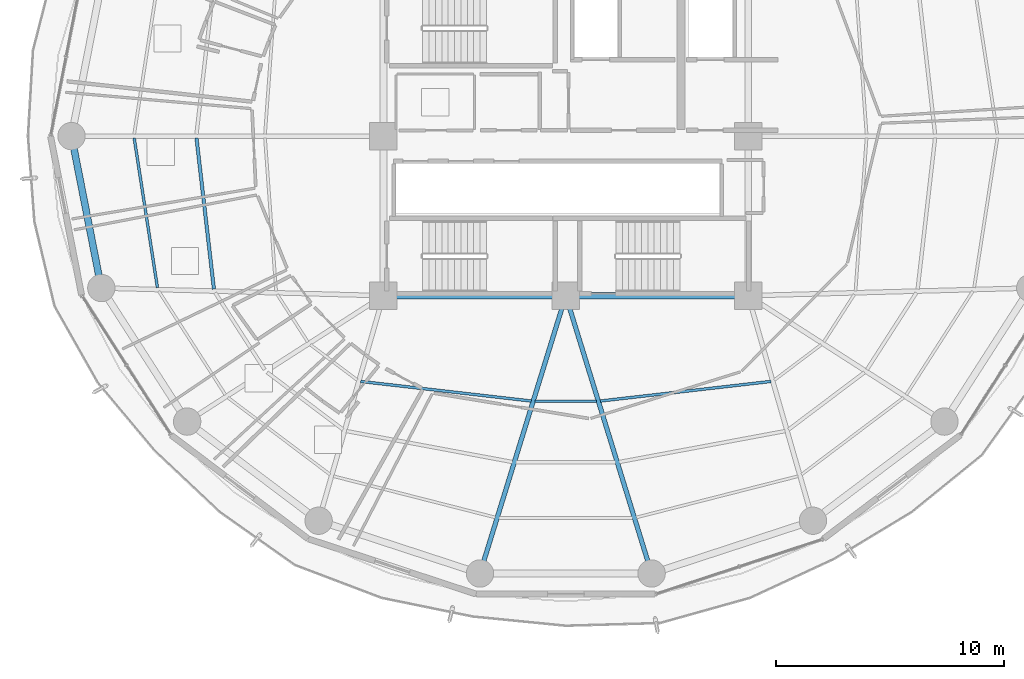
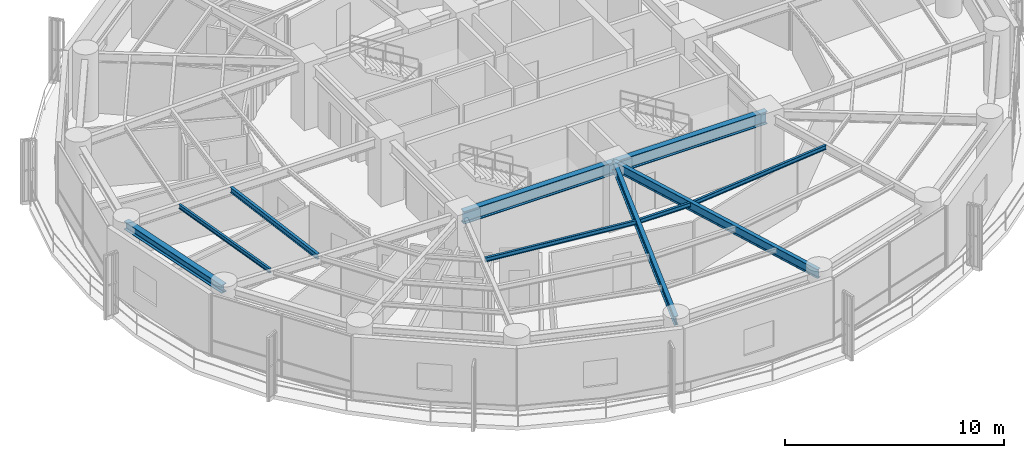
# One storey, part 5 of 27: 10 beams.
"""IFC4 building model written with IfcOpenShell, lengths in metres."""

from ifc_helpers import new_model, si_unit, direction, frame, origin, origin_2d, place, context, subcontext, project, spatial, i_section, extrude, material, material_profile, profile_set, type_object, element, save


model = new_model("IFC4")

# Units and contexts
model_context = context("Model", 3, precision=1e-05, world=origin(), true_north=direction((0.0, 1.0)))
body_context = subcontext(model_context, "Body", "Model", "MODEL_VIEW")
ifc_project = project(units=[si_unit("LENGTHUNIT", "METRE"), si_unit("AREAUNIT", "SQUARE_METRE"), si_unit("VOLUMEUNIT", "CUBIC_METRE"), si_unit("PLANEANGLEUNIT", "RADIAN"), si_unit("MASSUNIT", "GRAM", prefix="KILO")], contexts=[model_context])

# Site, building, storey
site_placement = place(None, origin())
site = spatial("IfcSite", under=ifc_project, at=site_placement, CompositionType="ELEMENT")
building_placement = place(site_placement, origin())
building = spatial("IfcBuilding", under=site, at=building_placement, Name="Kelanora Arch Commons", CompositionType="ELEMENT")
storey_placement = place(building_placement, frame((0.0, 0.0, 165.60009765625)))
storey = spatial("IfcBuildingStorey", under=building, at=storey_placement, Name="L42", CompositionType="ELEMENT", Elevation=165.60009765625)

# Beams
ifc_material = material(Name="Steel S355", Category="steel")
ifc_material_profile_1 = material_profile(ifc_material, i_section(OverallWidth=0.300048828125, OverallDepth=0.699951171875, WebThickness=0.01708984375, FlangeThickness=0.031982421875, FilletRadius=0.027099609375, at=origin_2d()), Name="HEB700")
ifc_profile_set_1 = profile_set([ifc_material_profile_1], Name="Steel S355")
beam_type_1 = type_object("IfcBeamType", Name="BM-CORE-HDR", PredefinedType="BEAM", material=ifc_profile_set_1)
for number, where, z_axis, x_axis, name in (
    (1, (66.0, 51.0, 3.139892578125), (1.0, 0.0, 0.0), (0.0, 1.0, 0.0), "Core Header Beam 01 L42"),
    (2, (74.0, 51.0, 3.139892578125), (1.0, 0.0, 0.0), (0.0, 1.0, 0.0), "Core Header Beam 02 L42"),
):
    element("IfcBeam", number, at=place(storey_placement, frame(where, z_axis=z_axis, x_axis=x_axis)), inside=storey, type_object=beam_type_1, Name=name, PredefinedType="BEAM", context=body_context, shape_type="SweptSolid", body=[
        extrude(i_section(OverallWidth=0.300048828125, OverallDepth=0.699951171875, WebThickness=0.01708984375, FlangeThickness=0.031982421875, FilletRadius=0.027099609375, at=origin_2d()), origin(), (0.0, 0.0, 1.0), 8.0),
    ])
ifc_material_profile_2 = material_profile(ifc_material, i_section(OverallWidth=0.14990234375, OverallDepth=0.300048828125, WebThickness=0.007080078125, FlangeThickness=0.0107421875, FilletRadius=0.014892578125, at=origin_2d()), Name="IPE300")
ifc_profile_set_2 = profile_set([ifc_material_profile_2], Name="Steel S355")
beam_type_2 = type_object("IfcBeamType", Name="BM-JST-01", PredefinedType="JOIST", material=ifc_profile_set_2)
beam_1_placement = place(storey_placement, frame((57.8017578125, 57.91552734375, 3.33984375), z_axis=(0.114667159005, -0.9934039675, 0.0), x_axis=(0.9934039675, 0.114667159005, 0.0)))
element("IfcBeam", 3, at=beam_1_placement, inside=storey, type_object=beam_type_2, Name="Secondary Chord Joist BJB-18 L42", PredefinedType="JOIST", context=body_context, shape_type="SweptSolid", body=[
    extrude(i_section(OverallWidth=0.14990234375, OverallDepth=0.300048828125, WebThickness=0.007080078125, FlangeThickness=0.0107421875, FilletRadius=0.014892578125, at=origin_2d()), origin(), (0.0, 0.0, 1.0), 6.672607421875),
])
ifc_material_profile_3 = material_profile(ifc_material, i_section(OverallWidth=0.1201171875, OverallDepth=0.239990234375, WebThickness=0.006103515625, FlangeThickness=0.009765625, FilletRadius=0.014892578125, at=origin_2d()), Name="IPE240")
ifc_profile_set_3 = profile_set([ifc_material_profile_3], Name="Steel S355")
beam_type_3 = type_object("IfcBeamType", Name="BM-JST-02", PredefinedType="JOIST", material=ifc_profile_set_3)
beam_2_placement = place(storey_placement, frame((55.069091796875, 57.916015625, 3.369873046875), z_axis=(0.153562625853, -0.988138917329, 0.0), x_axis=(0.988138917329, 0.153562625853, 0.0)))
element("IfcBeam", 4, at=beam_2_placement, inside=storey, type_object=beam_type_3, Name="Secondary Chord Joist BJC-18 L42", PredefinedType="JOIST", context=body_context, shape_type="SweptSolid", body=[
    extrude(i_section(OverallWidth=0.1201171875, OverallDepth=0.239990234375, WebThickness=0.006103515625, FlangeThickness=0.009765625, FilletRadius=0.014892578125, at=origin_2d()), origin(), (0.0, 0.0, 1.0), 6.640869140625),
])
beam_3_placement = place(storey_placement, frame((65.005126953125, 47.239501953125, 3.369873046875), z_axis=(0.993457414184, -0.114203179475, 0.0), x_axis=(0.114203179475, 0.993457414184, 0.0)))
element("IfcBeam", 5, at=beam_3_placement, inside=storey, type_object=beam_type_3, Name="Secondary Chord Joist BJA-24 L42", PredefinedType="JOIST", context=body_context, shape_type="SweptSolid", body=[
    extrude(i_section(OverallWidth=0.1201171875, OverallDepth=0.239990234375, WebThickness=0.006103515625, FlangeThickness=0.009765625, FilletRadius=0.014892578125, at=origin_2d()), origin(), (0.0, 0.0, 1.0), 7.529296875),
])
beam_4_placement = place(storey_placement, frame((72.654296875, 46.3701171875, 3.369873046875), z_axis=(1.0, 0.0, 0.0), x_axis=(0.0, 1.0, 0.0)))
element("IfcBeam", 6, at=beam_4_placement, inside=storey, type_object=beam_type_3, Name="Secondary Chord Joist BJA-26 L42", PredefinedType="JOIST", context=body_context, shape_type="SweptSolid", body=[
    extrude(i_section(OverallWidth=0.1201171875, OverallDepth=0.239990234375, WebThickness=0.006103515625, FlangeThickness=0.009765625, FilletRadius=0.014892578125, at=origin_2d()), origin(), (0.0, 0.0, 1.0), 2.69140625),
])
beam_5_placement = place(storey_placement, frame((75.514892578125, 46.379638671875, 3.369873046875), z_axis=(0.993457414184, 0.114203179475, 0.0), x_axis=(-0.114203179475, 0.993457414184, 0.0)))
element("IfcBeam", 7, at=beam_5_placement, inside=storey, type_object=beam_type_3, Name="Secondary Chord Joist BJA-28 L42", PredefinedType="JOIST", context=body_context, shape_type="SweptSolid", body=[
    extrude(i_section(OverallWidth=0.1201171875, OverallDepth=0.239990234375, WebThickness=0.006103515625, FlangeThickness=0.009765625, FilletRadius=0.014892578125, at=origin_2d()), origin(), (0.0, 0.0, 1.0), 7.529296875),
])
ifc_material_profile_4 = material_profile(ifc_material, i_section(OverallWidth=0.199951171875, OverallDepth=0.5, WebThickness=0.01025390625, FlangeThickness=0.01611328125, FilletRadius=0.02099609375, at=origin_2d()), Name="IPE500")
ifc_profile_set_4 = profile_set([ifc_material_profile_4], Name="Steel S355")
beam_type_4 = type_object("IfcBeamType", Name="BM-RAD-Z3", PredefinedType="BEAM", material=ifc_profile_set_4)
for number, where, z_axis, x_axis, name in (
    (8, (74.0, 51.0, 3.239990234375), (-0.295210315095, -0.955432294755, 0.0), (0.955432294755, -0.295210315095, 0.0), "Radial Floor Girder BR-26 L42"),
    (9, (74.0, 51.0, 3.239990234375), (0.295210315095, -0.955432294755, 0.0), (0.955432294755, 0.295210315095, 0.0), "Radial Floor Girder BR-28 L42"),
):
    element("IfcBeam", number, at=place(storey_placement, frame(where, z_axis=z_axis, x_axis=x_axis)), inside=storey, type_object=beam_type_4, Name=name, PredefinedType="BEAM", context=body_context, shape_type="SweptSolid", body=[
        extrude(i_section(OverallWidth=0.199951171875, OverallDepth=0.5, WebThickness=0.01025390625, FlangeThickness=0.01611328125, FilletRadius=0.02099609375, at=origin_2d()), origin(), (0.0, 0.0, 1.0), 12.75244140625),
    ])
ifc_material_profile_5 = material_profile(ifc_material, i_section(OverallWidth=0.300048828125, OverallDepth=0.449951171875, WebThickness=0.013916015625, FlangeThickness=0.02587890625, FilletRadius=0.027099609375, at=origin_2d()), Name="HEB450")
ifc_profile_set_5 = profile_set([ifc_material_profile_5], Name="Steel S355")
beam_type_5 = type_object("IfcBeamType", Name="BM-SPN-Z3", PredefinedType="SPANDREL", material=ifc_profile_set_5)
beam_6_placement = place(storey_placement, frame((52.320068359375, 58.0, 3.264892578125), z_axis=(0.192553643556, -0.981286448675, 0.0), x_axis=(0.981286448675, 0.192553643556, 0.0)))
element("IfcBeam", 10, at=beam_6_placement, inside=storey, type_object=beam_type_5, Name="Perimeter Spandrel Beam BS-18 L42", PredefinedType="SPANDREL", context=body_context, shape_type="SweptSolid", body=[
    extrude(i_section(OverallWidth=0.300048828125, OverallDepth=0.449951171875, WebThickness=0.013916015625, FlangeThickness=0.02587890625, FilletRadius=0.027099609375, at=origin_2d()), origin(), (0.0, 0.0, 1.0), 6.78955078125),
])

save(model, "model.ifc")
